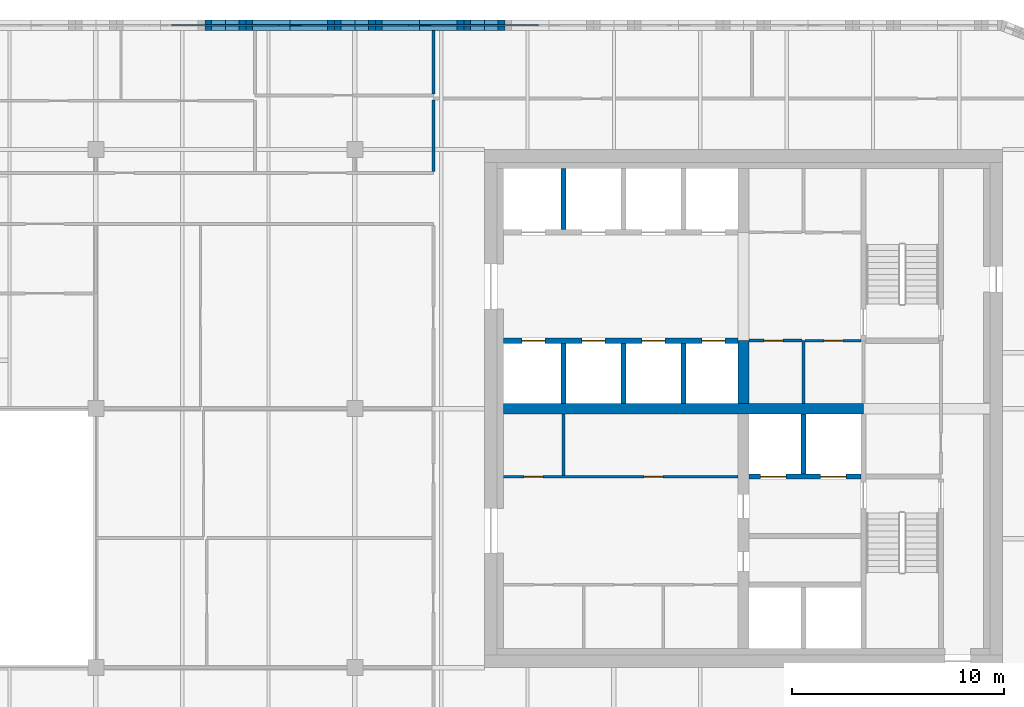
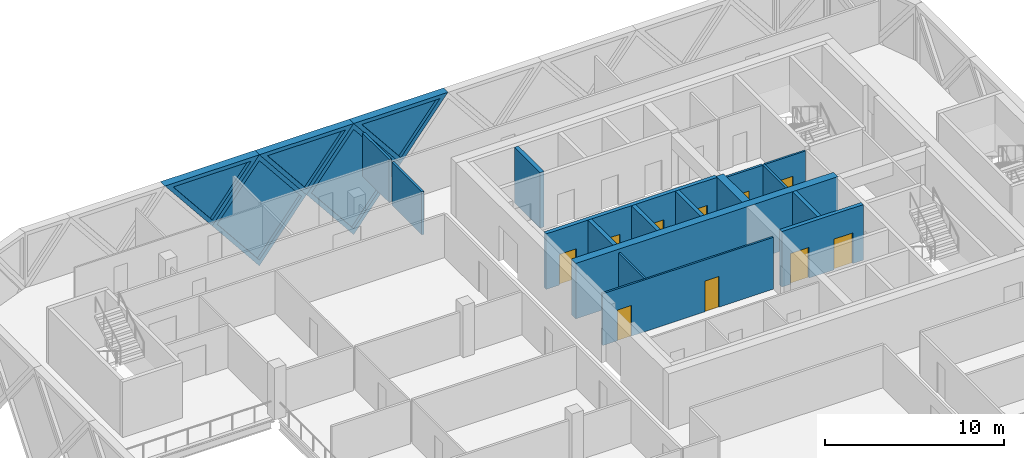
# One storey, part 11 of 15: 21 walls, 10 doors, 5 plates, 15 openings.
"""IFC4 building model written with IfcOpenShell, lengths in metres."""

from ifc_helpers import new_model, si_unit, direction, frame, frame_2d, origin, place, context, subcontext, project, spatial, polyline, rectangle, outline, extrude, faceted_brep, source, transform, mapped, material, layer, layer_set, type_object, element, fill, save


model = new_model("IFC4")

# Units and contexts
model_context = context("Model", 3, precision=1e-05, world=origin(), true_north=direction((0.0, 1.0)))
body_context = subcontext(model_context, "Body", "Model", "MODEL_VIEW")
ifc_project = project(units=[si_unit("LENGTHUNIT", "METRE"), si_unit("AREAUNIT", "SQUARE_METRE"), si_unit("VOLUMEUNIT", "CUBIC_METRE"), si_unit("PLANEANGLEUNIT", "RADIAN"), si_unit("MASSUNIT", "GRAM", prefix="KILO")], contexts=[model_context])

# Site, building, storey
site_placement = place(None, origin())
site = spatial("IfcSite", under=ifc_project, at=site_placement, CompositionType="ELEMENT")
building_placement = place(site_placement, origin())
building = spatial("IfcBuilding", under=site, at=building_placement, Name="Tessera Gate Towers", CompositionType="ELEMENT")
storey_placement = place(building_placement, frame((0.0, 0.0, 189.60009765625)))
storey = spatial("IfcBuildingStorey", under=building, at=storey_placement, Name="L47", CompositionType="ELEMENT", Elevation=189.60009765625)

# Wall, openings, doors
ifc_material_1 = material(Name="Concrete C40/50", Category="concrete")
ifc_layer_1 = layer(ifc_material_1, 0.25)
ifc_layer_set_1 = layer_set([ifc_layer_1], Name="CORE ENCLOSURE WALL 250")
wall_type_1 = type_object("IfcWallType", Name="CORE ENCLOSURE WALL 250", PredefinedType="SOLIDWALL", material=ifc_layer_set_1)
wall_1_placement = place(storey_placement, frame((31.39990234375, 39.800048828125, 0.0), z_axis=(0.0, 0.0, 1.0), x_axis=(1.0, 0.0, 0.0)))
wall_1 = element("IfcWall", 1, at=wall_1_placement, inside=storey, type_object=wall_type_1, Name="L47 shaft and stair enclosure wall", PredefinedType="SOLIDWALL", context=body_context, shape_type="SweptSolid", body=[
    extrude(rectangle(XDim=11.050048828125, YDim=0.25, at=frame_2d((5.52490234375, 0.0))), origin(), (0.0, 0.0, 1.0), 3.7998046875),
])
shared_shape_1 = source(origin(), body_context, "Body", "SweptSolid", [
    extrude(rectangle(XDim=1.10009765625, YDim=2.10009765625, at=frame_2d((0.550048828125, 1.050048828125))), frame((0.0, 0.135009765625, 0.0), z_axis=(0.0, -1.0, 0.0), x_axis=(1.0, 0.0, 0.0)), (0.0, 0.0, 1.0), 0.27001953125),
])
opening_1_placement = place(wall_1_placement, frame((0.862548828125, 0.0, 0.0)))
opening_1 = element("IfcOpeningElement", 2, at=opening_1_placement, cuts=wall_1, Name="Opening LD-HR1", PredefinedType="OPENING", context=body_context, shape_type="MappedRepresentation", body=[
    mapped(shared_shape_1, transform((0.0, 0.0, 0.0), scale=1.0)),
])
opening_2_placement = place(wall_1_placement, frame((3.6875, 0.0, 0.0)))
opening_2 = element("IfcOpeningElement", 3, at=opening_2_placement, cuts=wall_1, Name="Opening LD-HR2", PredefinedType="OPENING", context=body_context, shape_type="MappedRepresentation", body=[
    mapped(shared_shape_1, transform((0.0, 0.0, 0.0), scale=1.0)),
])
opening_3_placement = place(wall_1_placement, frame((6.512451171875, 0.0, 0.0)))
opening_3 = element("IfcOpeningElement", 4, at=opening_3_placement, cuts=wall_1, Name="Opening LD-HR3", PredefinedType="OPENING", context=body_context, shape_type="MappedRepresentation", body=[
    mapped(shared_shape_1, transform((0.0, 0.0, 0.0), scale=1.0)),
])
opening_4_placement = place(wall_1_placement, frame((9.33740234375, 0.0, 0.0)))
opening_4 = element("IfcOpeningElement", 5, at=opening_4_placement, cuts=wall_1, Name="Opening LD-HR4", PredefinedType="OPENING", context=body_context, shape_type="MappedRepresentation", body=[
    mapped(shared_shape_1, transform((0.0, 0.0, 0.0), scale=1.0)),
])
ifc_material_2 = material(Name="Stainless steel", Category="steel")
door_type_1 = type_object("IfcDoorType", Name="CORE DOOR LD 1100x2100", OperationType="DOUBLE_DOOR_SLIDING", PredefinedType="DOOR", material=ifc_material_2)
shared_shape_2 = source(origin(), body_context, "Body", "SweptSolid", [
    extrude(rectangle(XDim=1.10009765625, YDim=2.10009765625, at=frame_2d((0.550048828125, 1.050048828125))), frame((0.0, 0.02490234375, 0.0), z_axis=(0.0, -1.0, 0.0), x_axis=(1.0, 0.0, 0.0)), (0.0, 0.0, 1.0), 0.050048828125),
])
door_1_placement = place(opening_1_placement, origin())
door_1 = element("IfcDoor", 6, at=door_1_placement, inside=storey, type_object=door_type_1, Name="Landing door HR1 L47", OperationType="DOUBLE_DOOR_SLIDING", OverallHeight=2.10009765625, OverallWidth=1.10009765625, PredefinedType="DOOR", context=body_context, shape_type="MappedRepresentation", body=[
    mapped(shared_shape_2, transform((0.0, 0.0, 0.0), scale=1.0)),
])
fill(opening_1, door_1)
door_2_placement = place(opening_2_placement, origin())
door_2 = element("IfcDoor", 7, at=door_2_placement, inside=storey, type_object=door_type_1, Name="Landing door HR2 L47", OperationType="DOUBLE_DOOR_SLIDING", OverallHeight=2.10009765625, OverallWidth=1.10009765625, PredefinedType="DOOR", context=body_context, shape_type="MappedRepresentation", body=[
    mapped(shared_shape_2, transform((0.0, 0.0, 0.0), scale=1.0)),
])
fill(opening_2, door_2)
door_3_placement = place(opening_3_placement, origin())
door_3 = element("IfcDoor", 8, at=door_3_placement, inside=storey, type_object=door_type_1, Name="Landing door HR3 L47", OperationType="DOUBLE_DOOR_SLIDING", OverallHeight=2.10009765625, OverallWidth=1.10009765625, PredefinedType="DOOR", context=body_context, shape_type="MappedRepresentation", body=[
    mapped(shared_shape_2, transform((0.0, 0.0, 0.0), scale=1.0)),
])
fill(opening_3, door_3)
door_4_placement = place(opening_4_placement, origin())
door_4 = element("IfcDoor", 9, at=door_4_placement, inside=storey, type_object=door_type_1, Name="Landing door HR4 L47", OperationType="DOUBLE_DOOR_SLIDING", OverallHeight=2.10009765625, OverallWidth=1.10009765625, PredefinedType="DOOR", context=body_context, shape_type="MappedRepresentation", body=[
    mapped(shared_shape_2, transform((0.0, 0.0, 0.0), scale=1.0)),
])
fill(opening_4, door_4)

wall_2_placement = place(storey_placement, frame((48.22509765625, 33.39990234375, 0.0), z_axis=(0.0, 0.0, 1.0), x_axis=(-1.0, 0.0, 0.0)))
wall_2 = element("IfcWall", 10, at=wall_2_placement, inside=storey, type_object=wall_type_1, Name="L47 shaft and stair enclosure wall", PredefinedType="SOLIDWALL", context=body_context, shape_type="SweptSolid", body=[
    extrude(rectangle(XDim=5.275146484375, YDim=0.25, at=frame_2d((2.6376953125, 0.0))), origin(), (0.0, 0.0, 1.0), 3.7998046875),
])
shared_shape_3 = source(origin(), body_context, "Body", "SweptSolid", [
    extrude(rectangle(XDim=1.199951171875, YDim=2.10009765625, at=frame_2d((0.60009765625, 1.050048828125))), frame((0.0, 0.135009765625, 0.0), z_axis=(0.0, -1.0, 0.0), x_axis=(1.0, 0.0, 0.0)), (0.0, 0.0, 1.0), 0.27001953125),
])
opening_5_placement = place(wall_2_placement, frame((3.512451171875, 0.0, 0.0)))
opening_5 = element("IfcOpeningElement", 11, at=opening_5_placement, cuts=wall_2, Name="Opening LD-FF1", PredefinedType="OPENING", context=body_context, shape_type="MappedRepresentation", body=[
    mapped(shared_shape_3, transform((0.0, 0.0, 0.0), scale=1.0)),
])
opening_6_placement = place(wall_2_placement, frame((0.6875, 0.0, 0.0)))
opening_6 = element("IfcOpeningElement", 12, at=opening_6_placement, cuts=wall_2, Name="Opening LD-FF2", PredefinedType="OPENING", context=body_context, shape_type="MappedRepresentation", body=[
    mapped(shared_shape_3, transform((0.0, 0.0, 0.0), scale=1.0)),
])
ifc_material_3 = material(Name="Stainless steel", Category="steel")
door_type_2 = type_object("IfcDoorType", Name="CORE DOOR LD1200 1200x2100", OperationType="DOUBLE_DOOR_SLIDING", PredefinedType="DOOR", material=ifc_material_3)
shared_shape_4 = source(origin(), body_context, "Body", "SweptSolid", [
    extrude(rectangle(XDim=1.199951171875, YDim=2.10009765625, at=frame_2d((0.60009765625, 1.050048828125))), frame((0.0, 0.02490234375, 0.0), z_axis=(0.0, -1.0, 0.0), x_axis=(1.0, 0.0, 0.0)), (0.0, 0.0, 1.0), 0.050048828125),
])
door_5_placement = place(opening_5_placement, origin())
door_5 = element("IfcDoor", 13, at=door_5_placement, inside=storey, type_object=door_type_2, Name="Landing door FF1 L47", OperationType="DOUBLE_DOOR_SLIDING", OverallHeight=2.10009765625, OverallWidth=1.199951171875, PredefinedType="DOOR", context=body_context, shape_type="MappedRepresentation", body=[
    mapped(shared_shape_4, transform((0.0, 0.0, 0.0), scale=1.0)),
])
fill(opening_5, door_5)
door_6_placement = place(opening_6_placement, origin())
door_6 = element("IfcDoor", 14, at=door_6_placement, inside=storey, type_object=door_type_2, Name="Landing door FF2 L47", OperationType="DOUBLE_DOOR_SLIDING", OverallHeight=2.10009765625, OverallWidth=1.199951171875, PredefinedType="DOOR", context=body_context, shape_type="MappedRepresentation", body=[
    mapped(shared_shape_4, transform((0.0, 0.0, 0.0), scale=1.0)),
])
fill(opening_6, door_6)

# Walls
for number, where, z_axis, x_axis, name in (
    (15, (34.22509765625, 36.85009765625, 0.0), (0.0, 0.0, 1.0), (0.0, 1.0, 0.0), "L47 shaft and stair enclosure wall"),
    (16, (37.050048828125, 36.85009765625, 0.0), (0.0, 0.0, 1.0), (0.0, 1.0, 0.0), "L47 shaft and stair enclosure wall"),
    (17, (39.875, 36.85009765625, 0.0), (0.0, 0.0, 1.0), (0.0, 1.0, 0.0), "L47 shaft and stair enclosure wall"),
):
    element("IfcWall", number, at=place(storey_placement, frame(where, z_axis=z_axis, x_axis=x_axis)), inside=storey, type_object=wall_type_1, Name=name, PredefinedType="SOLIDWALL", context=body_context, shape_type="SweptSolid", body=[
        extrude(rectangle(XDim=2.824951171875, YDim=0.25, at=frame_2d((1.41259765625, 0.0))), origin(), (0.0, 0.0, 1.0), 3.7998046875),
    ])
wall_3_placement = place(storey_placement, frame((45.52490234375, 33.52490234375, 0.0), z_axis=(0.0, 0.0, 1.0), x_axis=(0.0, 1.0, 0.0)))
element("IfcWall", 18, at=wall_3_placement, inside=storey, type_object=wall_type_1, Name="L47 shaft and stair enclosure wall", PredefinedType="SOLIDWALL", context=body_context, shape_type="SweptSolid", body=[
    extrude(rectangle(XDim=2.8251953125, YDim=0.25, at=frame_2d((1.41259765625, 0.0))), origin(), (0.0, 0.0, 1.0), 3.7998046875),
])
wall_4_placement = place(storey_placement, frame((34.22509765625, 45.02490234375, 0.0), z_axis=(0.0, 0.0, 1.0), x_axis=(0.0, 1.0, 0.0)))
element("IfcWall", 19, at=wall_4_placement, inside=storey, type_object=wall_type_1, Name="L47 shaft and stair enclosure wall", PredefinedType="SOLIDWALL", context=body_context, shape_type="SweptSolid", body=[
    extrude(rectangle(XDim=2.875, YDim=0.25, at=frame_2d((1.4375, 0.0))), origin(), (0.0, 0.0, 1.0), 3.7998046875),
])

# Wall, openings, doors
ifc_material_4 = material(Name="Gypsum board on steel studs", Category="steel")
ifc_layer_2 = layer(ifc_material_4, 0.1201171875)
ifc_layer_set_2 = layer_set([ifc_layer_2], Name="CORE PARTITION 120")
wall_type_2 = type_object("IfcWallType", Name="CORE PARTITION 120", PredefinedType="PARTITIONING", material=ifc_layer_set_2)
wall_5_placement = place(storey_placement, frame((31.39990234375, 33.39990234375, 0.0), z_axis=(0.0, 0.0, 1.0), x_axis=(1.0, 0.0, 0.0)))
wall_5 = element("IfcWall", 20, at=wall_5_placement, inside=storey, type_object=wall_type_2, Name="L47 core partition", PredefinedType="PARTITIONING", context=body_context, shape_type="SweptSolid", body=[
    extrude(rectangle(XDim=11.050048828125, YDim=0.1201171875, at=frame_2d((5.52490234375, 0.0))), origin(), (0.0, 0.0, 1.0), 3.5498046875),
])
shared_shape_5 = source(origin(), body_context, "Body", "SweptSolid", [
    extrude(rectangle(XDim=0.89990234375, YDim=2.10009765625, at=frame_2d((0.449951171875, 1.050048828125))), frame((0.0, 0.070068359375, 0.0), z_axis=(0.0, -1.0, 0.0), x_axis=(1.0, 0.0, 0.0)), (0.0, 0.0, 1.0), 0.14013671875),
])
opening_7_placement = place(wall_5_placement, frame((0.96240234375, 0.0, 0.0)))
opening_7 = element("IfcOpeningElement", 21, at=opening_7_placement, cuts=wall_5, Name="Opening RD-T1-29-10", PredefinedType="OPENING", context=body_context, shape_type="MappedRepresentation", body=[
    mapped(shared_shape_5, transform((0.0, 0.0, 0.0), scale=1.0)),
])
opening_8_placement = place(wall_5_placement, frame((6.612548828125, 0.0, 0.0)))
opening_8 = element("IfcOpeningElement", 22, at=opening_8_placement, cuts=wall_5, Name="Opening RD-T1-29-11", PredefinedType="OPENING", context=body_context, shape_type="MappedRepresentation", body=[
    mapped(shared_shape_5, transform((0.0, 0.0, 0.0), scale=1.0)),
])
ifc_material_5 = material(Name="Hollow steel fire door", Category="steel")
door_type_3 = type_object("IfcDoorType", Name="CORE DOOR RD 900x2100", OperationType="NOTDEFINED", PredefinedType="DOOR", material=ifc_material_5)
shared_shape_6 = source(origin(), body_context, "Body", "SweptSolid", [
    extrude(rectangle(XDim=0.89990234375, YDim=2.10009765625, at=frame_2d((0.449951171875, 1.050048828125))), frame((0.0, 0.02490234375, 0.0), z_axis=(0.0, -1.0, 0.0), x_axis=(1.0, 0.0, 0.0)), (0.0, 0.0, 1.0), 0.050048828125),
])
door_7_placement = place(opening_7_placement, origin())
door_7 = element("IfcDoor", 23, at=door_7_placement, inside=storey, type_object=door_type_3, Name="Core room door", OperationType="SINGLE_SWING_LEFT", OverallHeight=2.10009765625, OverallWidth=0.89990234375, PredefinedType="DOOR", context=body_context, shape_type="MappedRepresentation", body=[
    mapped(shared_shape_6, transform((0.0, 0.0, 0.0), scale=1.0)),
])
fill(opening_7, door_7)
door_8_placement = place(opening_8_placement, origin())
door_8 = element("IfcDoor", 24, at=door_8_placement, inside=storey, type_object=door_type_3, Name="Core room door", OperationType="SINGLE_SWING_RIGHT", OverallHeight=2.10009765625, OverallWidth=0.89990234375, PredefinedType="DOOR", context=body_context, shape_type="MappedRepresentation", body=[
    mapped(shared_shape_6, transform((0.0, 0.0, 0.0), scale=1.0)),
])
fill(opening_8, door_8)

# Wall
wall_6_placement = place(storey_placement, frame((34.22509765625, 33.4599609375, 0.0), z_axis=(0.0, 0.0, 1.0), x_axis=(0.0, 1.0, 0.0)))
element("IfcWall", 25, at=wall_6_placement, inside=storey, type_object=wall_type_2, Name="L47 core partition", PredefinedType="PARTITIONING", context=body_context, shape_type="SweptSolid", body=[
    extrude(rectangle(XDim=2.89013671875, YDim=0.1201171875, at=frame_2d((1.445068359375, 0.0))), origin(), (0.0, 0.0, 1.0), 3.5498046875),
])

# Wall, opening, door
wall_7_placement = place(storey_placement, frame((48.22509765625, 39.800048828125, 0.0), z_axis=(0.0, 0.0, 1.0), x_axis=(-1.0, 0.0, 0.0)))
wall_7 = element("IfcWall", 26, at=wall_7_placement, inside=storey, type_object=wall_type_2, Name="L47 core partition", PredefinedType="PARTITIONING", context=body_context, shape_type="SweptSolid", body=[
    extrude(rectangle(XDim=2.625, YDim=0.1201171875, at=frame_2d((1.3125, 0.0))), origin(), (0.0, 0.0, 1.0), 3.5498046875),
])
opening_9_placement = place(wall_7_placement, frame((0.83740234375, 0.0, 0.0)))
opening_9 = element("IfcOpeningElement", 27, at=opening_9_placement, cuts=wall_7, Name="Opening RD-T1-29-14", PredefinedType="OPENING", context=body_context, shape_type="MappedRepresentation", body=[
    mapped(shared_shape_5, transform((0.0, 0.0, 0.0), scale=1.0)),
])
door_9_placement = place(opening_9_placement, origin())
door_9 = element("IfcDoor", 28, at=door_9_placement, inside=storey, type_object=door_type_3, Name="Core room door", OperationType="SINGLE_SWING_LEFT", OverallHeight=2.10009765625, OverallWidth=0.89990234375, PredefinedType="DOOR", context=body_context, shape_type="MappedRepresentation", body=[
    mapped(shared_shape_6, transform((0.0, 0.0, 0.0), scale=1.0)),
])
fill(opening_9, door_9)

# Walls
ifc_material_6 = material(Name="Concrete C50/60", Category="concrete")
ifc_layer_3 = layer(ifc_material_6, 0.5)
ifc_layer_set_3 = layer_set([ifc_layer_3], Name="CORE SPINE WALL 500 C50/60")
wall_type_3 = type_object("IfcWallType", Name="CORE SPINE WALL 500 C50/60", PredefinedType="SHEAR", material=ifc_layer_set_3)
wall_8_placement = place(storey_placement, frame((31.39990234375, 36.60009765625, 0.0), z_axis=(0.0, 0.0, 1.0), x_axis=(1.0, 0.0, 0.0)))
element("IfcWall", 29, at=wall_8_placement, inside=storey, type_object=wall_type_3, Name="Core wall spine L47", PredefinedType="SHEAR", context=body_context, shape_type="SweptSolid", body=[
    extrude(rectangle(XDim=16.9501953125, YDim=0.5, at=frame_2d((8.47509765625, 0.0))), origin(), (0.0, 0.0, 1.0), 3.7998046875),
])
wall_9_placement = place(storey_placement, frame((42.699951171875, 36.85009765625, 0.0), z_axis=(0.0, 0.0, 1.0), x_axis=(0.0, 1.0, 0.0)))
element("IfcWall", 30, at=wall_9_placement, inside=storey, type_object=wall_type_3, Name="Core wall spine L47", PredefinedType="SHEAR", context=body_context, shape_type="SweptSolid", body=[
    extrude(rectangle(XDim=2.949951171875, YDim=0.5, at=frame_2d((1.47509765625, 0.0))), origin(), (0.0, 0.0, 1.0), 3.7998046875),
])
ifc_material_7 = material(Name="Gypsum board on steel studs, mineral wool", Category="steel")
ifc_layer_4 = layer(ifc_material_7, 0.14990234375)
ifc_layer_set_4 = layer_set([ifc_layer_4], Name="CORRIDOR WALL 150")
wall_type_4 = type_object("IfcWallType", Name="CORRIDOR WALL 150", PredefinedType="PARTITIONING", material=ifc_layer_set_4)
wall_10_placement = place(storey_placement, frame((28.10009765625, 47.77587890625, 0.0), z_axis=(0.0, 0.0, 1.0), x_axis=(0.0, 1.0, 0.0)))
element("IfcWall", 31, at=wall_10_placement, inside=storey, type_object=wall_type_4, Name="T1-L47-PW-044", PredefinedType="PARTITIONING", context=body_context, shape_type="SweptSolid", body=[
    extrude(rectangle(XDim=3.34814453125, YDim=0.14990234375, at=frame_2d((1.674072265625, 0.0))), origin(), (0.0, 0.0, 1.0), 2.947021484375),
])
ifc_material_8 = material(Name="Gypsum board on steel studs", Category="steel")
ifc_layer_5 = layer(ifc_material_8, 0.14990234375)
ifc_layer_set_5 = layer_set([ifc_layer_5], Name="SERVICE ROOM WALL 150")
wall_type_5 = type_object("IfcWallType", Name="SERVICE ROOM WALL 150", PredefinedType="PARTITIONING", material=ifc_layer_set_5)
wall_11_placement = place(storey_placement, frame((45.52490234375, 36.85009765625, 0.0), z_axis=(0.0, 0.0, 1.0), x_axis=(0.0, 1.0, 0.0)))
element("IfcWall", 32, at=wall_11_placement, inside=storey, type_object=wall_type_5, Name="L47 service room wall", PredefinedType="PARTITIONING", context=body_context, shape_type="SweptSolid", body=[
    extrude(rectangle(XDim=2.949951171875, YDim=0.14990234375, at=frame_2d((1.47509765625, 0.0))), origin(), (0.0, 0.0, 1.0), 3.5498046875),
])

# Wall, opening, door
wall_12_placement = place(storey_placement, frame((45.449951171875, 39.800048828125, 0.0), z_axis=(0.0, 0.0, 1.0), x_axis=(-1.0, 0.0, 0.0)))
wall_12 = element("IfcWall", 33, at=wall_12_placement, inside=storey, type_object=wall_type_5, Name="L47 service room wall", PredefinedType="PARTITIONING", context=body_context, shape_type="SweptSolid", body=[
    extrude(rectangle(XDim=2.5, YDim=0.14990234375, at=frame_2d((1.25, 0.0))), origin(), (0.0, 0.0, 1.0), 3.5498046875),
])
shared_shape_7 = source(origin(), body_context, "Body", "SweptSolid", [
    extrude(rectangle(XDim=0.89990234375, YDim=2.10009765625, at=frame_2d((0.449951171875, 1.050048828125))), frame((0.0, 0.0849609375, 0.0), z_axis=(0.0, -1.0, 0.0), x_axis=(1.0, 0.0, 0.0)), (0.0, 0.0, 1.0), 0.169921875),
])
opening_10_placement = place(wall_12_placement, frame((0.887451171875, 0.0, 0.0)))
opening_10 = element("IfcOpeningElement", 34, at=opening_10_placement, cuts=wall_12, Name="Opening RD-T1-29-13", PredefinedType="OPENING", context=body_context, shape_type="MappedRepresentation", body=[
    mapped(shared_shape_7, transform((0.0, 0.0, 0.0), scale=1.0)),
])
door_10_placement = place(opening_10_placement, origin())
door_10 = element("IfcDoor", 35, at=door_10_placement, inside=storey, type_object=door_type_3, Name="Core room door", OperationType="SINGLE_SWING_RIGHT", OverallHeight=2.10009765625, OverallWidth=0.89990234375, PredefinedType="DOOR", context=body_context, shape_type="MappedRepresentation", body=[
    mapped(shared_shape_6, transform((0.0, 0.0, 0.0), scale=1.0)),
])
fill(opening_10, door_10)

# Wall
ifc_material_9 = material(Name="Gypsum board on steel studs, mineral wool", Category="steel")
ifc_layer_6 = layer(ifc_material_9, 0.14990234375)
ifc_layer_set_6 = layer_set([ifc_layer_6], Name="TENANCY WALL 150")
wall_type_6 = type_object("IfcWallType", Name="TENANCY WALL 150", PredefinedType="PARTITIONING", material=ifc_layer_set_6)
wall_13_placement = place(storey_placement, frame((28.10009765625, 51.426025390625, 0.0), z_axis=(0.0, 0.0, 1.0), x_axis=(0.0, 1.0, 0.0)))
element("IfcWall", 36, at=wall_13_placement, inside=storey, type_object=wall_type_6, Name="T1-L47-PW-053", PredefinedType="PARTITIONING", context=body_context, shape_type="SweptSolid", body=[
    extrude(rectangle(XDim=2.973876953125, YDim=0.14990234375, at=frame_2d((1.48681640625, 0.0))), origin(), (0.0, 0.0, 1.0), 2.947021484375),
])

# Wall, opening, plate
ifc_material_10 = material(Name="Precast concrete C60/75 white", Category="concrete")
ifc_layer_7 = layer(ifc_material_10, 0.5)
ifc_layer_set_7 = layer_set([ifc_layer_7], Name="TS1 tessera")
wall_type_7 = type_object("IfcWallType", Name="TS1 tessera", PredefinedType="SOLIDWALL", material=ifc_layer_set_7)
shared_shape_8 = source(origin(), body_context, "Body", "Brep", [
    faceted_brep([(3.050048828125, -0.25, 0.0), (6.099853515625, -0.25, 3.7998046875), (6.099853515625, -0.25, 3.80029296875), (3.050048828125, -0.25, 7.599853515625), (0.0, -0.25, 3.800048828125), (0.0, 0.25, 3.800048828125), (3.050048828125, 0.25, 7.599853515625), (6.099853515625, 0.25, 3.80029296875), (6.099853515625, 0.25, 3.7998046875), (3.050048828125, 0.25, 0.0)], [[[0, 1, 2, 3, 4]], [[5, 6, 7, 8, 9]], [[9, 8, 1, 0]], [[7, 6, 3, 2]], [[6, 5, 4, 3]], [[5, 9, 0, 4]], [[1, 8, 7, 2]]]),
])
wall_14_placement = place(storey_placement, frame((24.39990234375, 54.64990234375, -3.800048828125), z_axis=(0.0, 0.0, 1.0), x_axis=(-1.0, 0.0, 0.0)))
wall_14 = element("IfcWall", 37, at=wall_14_placement, inside=storey, type_object=wall_type_7, Name="Precast tessera T1 TS1-0843", PredefinedType="SOLIDWALL", context=body_context, shape_type="MappedRepresentation", body=[
    mapped(shared_shape_8, transform((0.0, 0.0, 0.0), scale=1.0)),
])
shared_shape_9 = source(origin(), body_context, "Body", "SweptSolid", [
    extrude(outline(polyline([(3.050048828125, 0.3994140625), (5.779541015625, 3.800048828125), (3.050048828125, 7.200439453125), (0.320556640625, 3.800048828125), (3.050048828125, 0.3994140625)])), frame((0.0, 0.260009765625, 0.0), z_axis=(0.0, -1.0, 0.0), x_axis=(1.0, 0.0, 0.0)), (0.0, 0.0, 1.0), 0.52001953125),
])
opening_11_placement = place(wall_14_placement, origin())
opening_11 = element("IfcOpeningElement", 38, at=opening_11_placement, cuts=wall_14, Name="Opening T1-PL2-1715", PredefinedType="OPENING", context=body_context, shape_type="MappedRepresentation", body=[
    mapped(shared_shape_9, transform((0.0, 0.0, 0.0), scale=1.0)),
])
ifc_material_11 = material(Name="Low-e laminated glass", Category="glass")
ifc_layer_8 = layer(ifc_material_11, 0.06005859375)
ifc_layer_set_8 = layer_set([ifc_layer_8], Name="PL2 rhombic pane")
plate_type_1 = type_object("IfcPlateType", Name="PL2 rhombic pane", PredefinedType="SHEET", material=ifc_layer_set_8)
shared_shape_10 = source(origin(), body_context, "Body", "SweptSolid", [
    extrude(outline(polyline([(3.050048828125, 0.3994140625), (5.779541015625, 3.800048828125), (3.050048828125, 7.200439453125), (0.320556640625, 3.800048828125), (3.050048828125, 0.3994140625)])), frame((0.0, 0.030029296875, 0.0), z_axis=(0.0, -1.0, 0.0), x_axis=(1.0, 0.0, 0.0)), (0.0, 0.0, 1.0), 0.06005859375),
])
plate_1_placement = place(opening_11_placement, origin())
plate_1 = element("IfcPlate", 39, at=plate_1_placement, inside=storey, type_object=plate_type_1, Name="Glass pane T1 PL2-1715", PredefinedType="SHEET", context=body_context, shape_type="MappedRepresentation", body=[
    mapped(shared_shape_10, transform((0.0, 0.0, 0.0), scale=1.0)),
])
fill(opening_11, plate_1)

shared_shape_11 = source(origin(), body_context, "Body", "SweptSolid", [
    extrude(outline(polyline([(3.050048828125, 0.0), (6.10009765625, 3.800048828125), (3.050048828125, 7.599853515625), (0.0, 3.800048828125), (3.050048828125, 0.0)])), frame((0.0, 0.25, 0.0), z_axis=(0.0, -1.0, 0.0), x_axis=(1.0, 0.0, 0.0)), (0.0, 0.0, 1.0), 0.5),
])
wall_15_placement = place(storey_placement, frame((30.5, 54.64990234375, -3.800048828125), z_axis=(0.0, 0.0, 1.0), x_axis=(-1.0, 0.0, 0.0)))
wall_15 = element("IfcWall", 40, at=wall_15_placement, inside=storey, type_object=wall_type_7, Name="Precast tessera T1 TS1-0842", PredefinedType="SOLIDWALL", context=body_context, shape_type="MappedRepresentation", body=[
    mapped(shared_shape_11, transform((0.0, 0.0, 0.0), scale=1.0)),
])
opening_12_placement = place(wall_15_placement, origin())
opening_12 = element("IfcOpeningElement", 41, at=opening_12_placement, cuts=wall_15, Name="Opening T1-PL2-1714", PredefinedType="OPENING", context=body_context, shape_type="MappedRepresentation", body=[
    mapped(shared_shape_9, transform((0.0, 0.0, 0.0), scale=1.0)),
])
plate_2_placement = place(opening_12_placement, origin())
plate_2 = element("IfcPlate", 42, at=plate_2_placement, inside=storey, type_object=plate_type_1, Name="Glass pane T1 PL2-1714", PredefinedType="SHEET", context=body_context, shape_type="MappedRepresentation", body=[
    mapped(shared_shape_10, transform((0.0, 0.0, 0.0), scale=1.0)),
])
fill(opening_12, plate_2)

ifc_material_12 = material(Name="Precast concrete C60/75 white", Category="concrete")
ifc_layer_9 = layer(ifc_material_12, 0.5)
ifc_layer_set_9 = layer_set([ifc_layer_9], Name="TS2 half tessera")
wall_type_8 = type_object("IfcWallType", Name="TS2 half tessera", PredefinedType="SOLIDWALL", material=ifc_layer_set_9)
shared_shape_12 = source(origin(), body_context, "Body", "Brep", [
    faceted_brep([(3.050048828125, -0.25, 0.0), (6.099853515625, -0.25, 3.799560546875), (6.099853515625, -0.25, 3.7998046875), (0.0, -0.25, 3.7998046875), (0.0, 0.25, 3.7998046875), (6.099853515625, 0.25, 3.7998046875), (6.099853515625, 0.25, 3.799560546875), (3.050048828125, 0.25, 0.0)], [[[0, 1, 2, 3]], [[4, 5, 6, 7]], [[7, 6, 1, 0]], [[5, 4, 3, 2]], [[4, 7, 0, 3]], [[1, 6, 5, 2]]]),
])
wall_16_placement = place(storey_placement, frame((27.449951171875, 54.64990234375, 0.0), z_axis=(0.0, 0.0, 1.0), x_axis=(-1.0, 0.0, 0.0)))
wall_16 = element("IfcWall", 43, at=wall_16_placement, inside=storey, type_object=wall_type_8, Name="Precast half tessera T1 TS2-0221", PredefinedType="SOLIDWALL", context=body_context, shape_type="MappedRepresentation", body=[
    mapped(shared_shape_12, transform((0.0, 0.0, 0.0), scale=1.0)),
])
shared_shape_13 = source(origin(), body_context, "Body", "SweptSolid", [
    extrude(outline(polyline([(3.050048828125, 0.3994140625), (5.578857421875, 3.5498046875), (0.521240234375, 3.5498046875), (3.050048828125, 0.3994140625)])), frame((0.0, 0.260009765625, 0.0), z_axis=(0.0, -1.0, 0.0), x_axis=(1.0, 0.0, 0.0)), (0.0, 0.0, 1.0), 0.52001953125),
])
opening_13_placement = place(wall_16_placement, origin())
opening_13 = element("IfcOpeningElement", 44, at=opening_13_placement, cuts=wall_16, Name="Opening T1-PL1-0447", PredefinedType="OPENING", context=body_context, shape_type="MappedRepresentation", body=[
    mapped(shared_shape_13, transform((0.0, 0.0, 0.0), scale=1.0)),
])
ifc_material_13 = material(Name="Low-e laminated glass", Category="glass")
ifc_layer_10 = layer(ifc_material_13, 0.06005859375)
ifc_layer_set_10 = layer_set([ifc_layer_10], Name="PL1 triangular pane")
plate_type_2 = type_object("IfcPlateType", Name="PL1 triangular pane", PredefinedType="SHEET", material=ifc_layer_set_10)
shared_shape_14 = source(origin(), body_context, "Body", "SweptSolid", [
    extrude(outline(polyline([(3.050048828125, 0.3994140625), (5.578857421875, 3.5498046875), (0.521240234375, 3.5498046875), (3.050048828125, 0.3994140625)])), frame((0.0, 0.030029296875, 0.0), z_axis=(0.0, -1.0, 0.0), x_axis=(1.0, 0.0, 0.0)), (0.0, 0.0, 1.0), 0.06005859375),
])
plate_3_placement = place(opening_13_placement, origin())
plate_3 = element("IfcPlate", 45, at=plate_3_placement, inside=storey, type_object=plate_type_2, Name="Glass pane T1 PL1-0447", PredefinedType="SHEET", context=body_context, shape_type="MappedRepresentation", body=[
    mapped(shared_shape_14, transform((0.0, 0.0, 0.0), scale=1.0)),
])
fill(opening_13, plate_3)

shared_shape_15 = source(origin(), body_context, "Body", "SweptSolid", [
    extrude(outline(polyline([(3.050048828125, 0.0), (6.10009765625, 3.7998046875), (0.0, 3.7998046875), (3.050048828125, 0.0)])), frame((0.0, 0.25, 0.0), z_axis=(0.0, -1.0, 0.0), x_axis=(1.0, 0.0, 0.0)), (0.0, 0.0, 1.0), 0.5),
])
wall_17_placement = place(storey_placement, frame((33.550048828125, 54.64990234375, 0.0), z_axis=(0.0, 0.0, 1.0), x_axis=(-1.0, 0.0, 0.0)))
wall_17 = element("IfcWall", 46, at=wall_17_placement, inside=storey, type_object=wall_type_8, Name="Precast half tessera T1 TS2-0220", PredefinedType="SOLIDWALL", context=body_context, shape_type="MappedRepresentation", body=[
    mapped(shared_shape_15, transform((0.0, 0.0, 0.0), scale=1.0)),
])
opening_14_placement = place(wall_17_placement, origin())
opening_14 = element("IfcOpeningElement", 47, at=opening_14_placement, cuts=wall_17, Name="Opening T1-PL1-0446", PredefinedType="OPENING", context=body_context, shape_type="MappedRepresentation", body=[
    mapped(shared_shape_13, transform((0.0, 0.0, 0.0), scale=1.0)),
])
plate_4_placement = place(opening_14_placement, origin())
plate_4 = element("IfcPlate", 48, at=plate_4_placement, inside=storey, type_object=plate_type_2, Name="Glass pane T1 PL1-0446", PredefinedType="SHEET", context=body_context, shape_type="MappedRepresentation", body=[
    mapped(shared_shape_14, transform((0.0, 0.0, 0.0), scale=1.0)),
])
fill(opening_14, plate_4)

wall_18_placement = place(storey_placement, frame((21.35009765625, 54.64990234375, 0.0), z_axis=(0.0, 0.0, 1.0), x_axis=(-1.0, 0.0, 0.0)))
wall_18 = element("IfcWall", 49, at=wall_18_placement, inside=storey, type_object=wall_type_8, Name="Precast half tessera T1 TS2-0222", PredefinedType="SOLIDWALL", context=body_context, shape_type="MappedRepresentation", body=[
    mapped(shared_shape_15, transform((0.0, 0.0, 0.0), scale=1.0)),
])
opening_15_placement = place(wall_18_placement, origin())
opening_15 = element("IfcOpeningElement", 50, at=opening_15_placement, cuts=wall_18, Name="Opening T1-PL1-0448", PredefinedType="OPENING", context=body_context, shape_type="MappedRepresentation", body=[
    mapped(shared_shape_13, transform((0.0, 0.0, 0.0), scale=1.0)),
])
plate_5_placement = place(opening_15_placement, origin())
plate_5 = element("IfcPlate", 51, at=plate_5_placement, inside=storey, type_object=plate_type_2, Name="Glass pane T1 PL1-0448", PredefinedType="SHEET", context=body_context, shape_type="MappedRepresentation", body=[
    mapped(shared_shape_14, transform((0.0, 0.0, 0.0), scale=1.0)),
])
fill(opening_15, plate_5)

save(model, "model.ifc")
